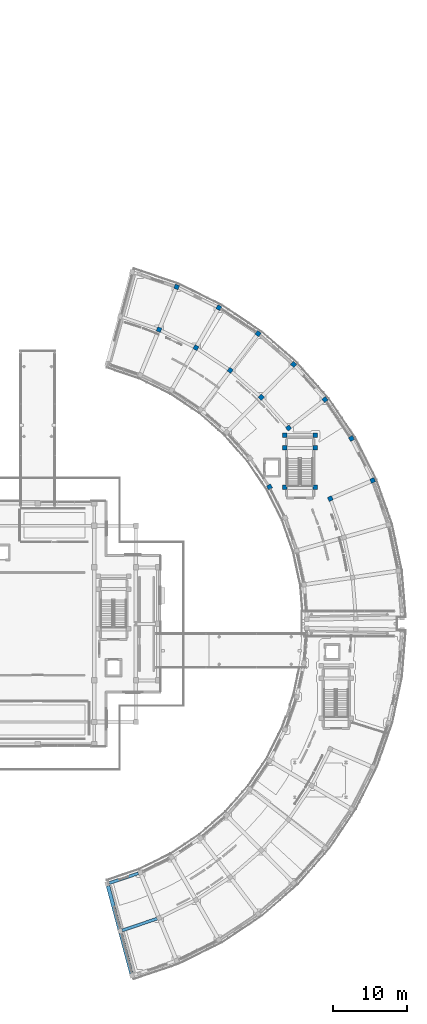
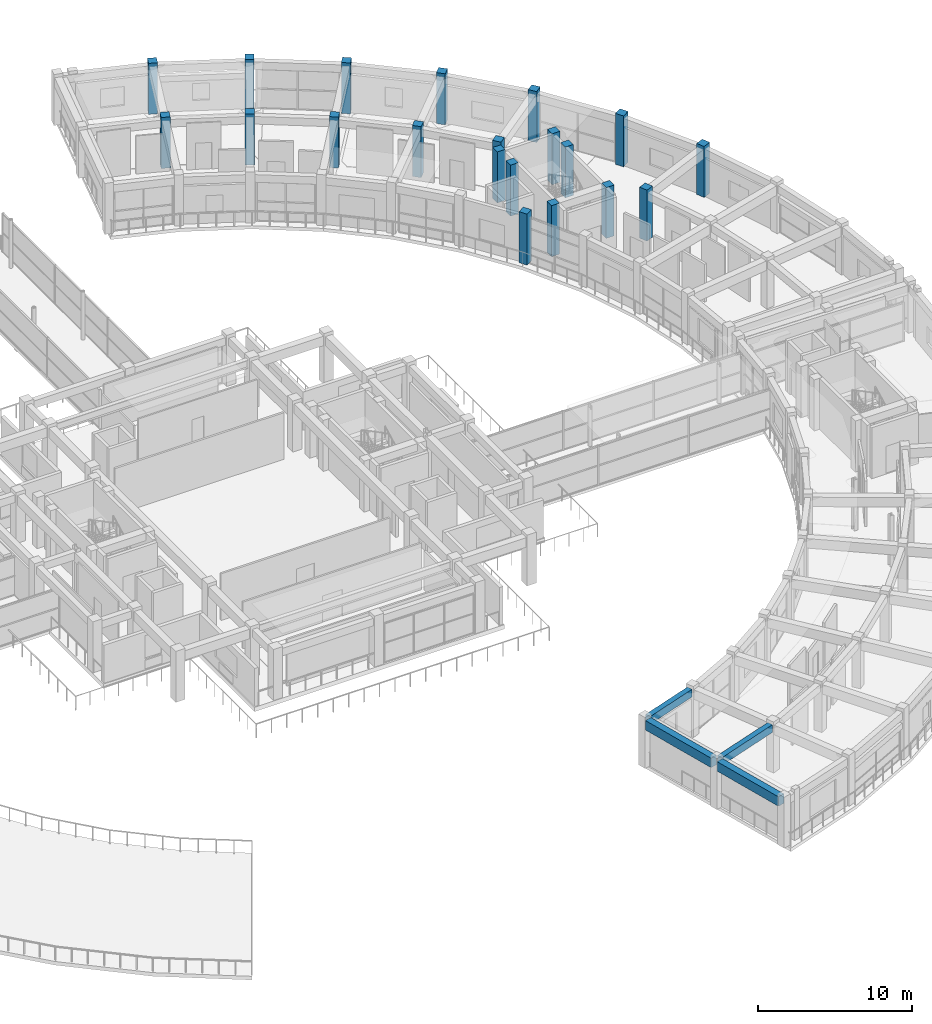
# One storey, part 10 of 53: 20 columns, 4 beams.
"""IFC4 building model written with IfcOpenShell, lengths in metres."""

import ifcopenshell
import ifcopenshell.guid

model = None  # the IFC model being written
_history = None  # IfcOwnerHistory: only IFC2X3 demands one
_inside = {}  # id of a spatial element -> (the spatial element, [elements in it])
_under = {}  # id of a project, library or spatial element -> (it, [spatial elements below it])
_declared = {}  # id of a project -> (the project, [libraries it declares])
_typed = {}  # id of a type object -> (the type object, [elements of that type])
_made_of = {}  # id of a material, layer set ... -> (it, [elements and type objects made of it])


def new_model(schema):
    """Start an empty IFC model of exactly this schema.

    Asked for "IFC4X3", IfcOpenShell would pick the latest addendum, in which some entities
    have other attributes; the version numbers below select the first issue.
    IFC2X3 requires an IfcOwnerHistory on every rooted entity: one is made here for all.
    """
    global model, _history
    if schema == "IFC4X3":
        model = ifcopenshell.file(schema_version=(4, 3, 0, 0))
    else:
        model = ifcopenshell.file(schema=schema)
    _inside.clear()
    _under.clear()
    _declared.clear()
    _typed.clear()
    _made_of.clear()
    _history = None
    if model.schema == "IFC2X3":
        org = make("IfcOrganization", Name="unknown")
        user = make(
            "IfcPersonAndOrganization",
            ThePerson=make("IfcPerson", FamilyName="unknown"),
            TheOrganization=org,
        )
        app = make(
            "IfcApplication",
            ApplicationDeveloper=org,
            Version="unknown",
            ApplicationFullName="unknown",
            ApplicationIdentifier="unknown",
        )
        _history = make(
            "IfcOwnerHistory",
            OwningUser=user,
            OwningApplication=app,
            ChangeAction="ADDED",
            CreationDate=0,
        )
    return model


def make(cls, **values):
    """One entity of the class cls with the attributes given. An attribute that is None is left unset."""
    return model.create_entity(
        cls, **{name: value for name, value in values.items() if value is not None}
    )


def rooted(cls, **values):
    """An entity with a GlobalId (a new one), such as an element, a storey or a relation."""
    return make(cls, GlobalId=ifcopenshell.guid.new(), OwnerHistory=_history, **values)


def si_unit(unit_type, name, prefix=None):
    """IfcSIUnit, for example si_unit("LENGTHUNIT", "METRE", prefix="MILLI")."""
    return make("IfcSIUnit", UnitType=unit_type, Prefix=prefix, Name=name)


def assignment(units):
    """IfcUnitAssignment: the units of a project."""
    return None if units is None else make("IfcUnitAssignment", Units=units)


def point(xyz):
    """IfcCartesianPoint."""
    return None if xyz is None else make("IfcCartesianPoint", Coordinates=xyz)


def direction(xyz):
    """IfcDirection."""
    return None if xyz is None else make("IfcDirection", DirectionRatios=xyz)


def frame(location, z_axis=None, x_axis=None):
    """IfcAxis2Placement3D, a coordinate frame: its origin and axes. An axis left out is left unset."""
    return make(
        "IfcAxis2Placement3D",
        Location=point(location),
        Axis=direction(z_axis),
        RefDirection=direction(x_axis),
    )


def frame_2d(location, x_axis=None):
    """IfcAxis2Placement2D, a coordinate frame in the plane: its origin and x axis."""
    return make(
        "IfcAxis2Placement2D", Location=point(location), RefDirection=direction(x_axis)
    )


def origin():
    """The frame at (0, 0, 0) with its axes left unset."""
    return frame((0.0, 0.0, 0.0))


def origin_2d():
    """The frame at (0, 0) in the plane with its x axis left unset."""
    return frame_2d((0.0, 0.0))


def place(relative_to, where):
    """IfcLocalPlacement: puts the frame where relative to a parent placement (None: the world)."""
    return make(
        "IfcLocalPlacement", PlacementRelTo=relative_to, RelativePlacement=where
    )


def context(
    kind, dimensions, precision=None, world=None, true_north=None, identifier=None
):
    """IfcGeometricRepresentationContext, for example the 3D "Model" context."""
    return make(
        "IfcGeometricRepresentationContext",
        ContextIdentifier=identifier,
        ContextType=kind,
        CoordinateSpaceDimension=dimensions,
        Precision=precision,
        WorldCoordinateSystem=world,
        TrueNorth=true_north,
    )


def subcontext(parent, identifier, kind, view, scale=None):
    """IfcGeometricRepresentationSubContext, for example "Body" below "Model"."""
    return make(
        "IfcGeometricRepresentationSubContext",
        ContextIdentifier=identifier,
        ContextType=kind,
        ParentContext=parent,
        TargetScale=scale,
        TargetView=view,
    )


def project(units=None, contexts=None):
    """IfcProject with its units and contexts."""
    return rooted(
        "IfcProject",
        Name="project",
        RepresentationContexts=contexts,
        UnitsInContext=assignment(units),
    )


def spatial(cls, under=None, at=None, **own):
    """A site, building, storey or space (cls), placed at a placement, below another one or the project."""
    s = rooted(cls, ObjectPlacement=at, **own)
    if under is not None:
        _under.setdefault(under.id(), (under, []))[1].append(s)
    return s


def profile(cls, at=None, kind="AREA", **sizes):
    """A parametric profile (cls). Its sizes go by their IFC names, for example OverallWidth=200.0."""
    return make(cls, ProfileType=kind, Position=at, **sizes)


def rectangle(**sizes):
    """IfcRectangleProfileDef."""
    return profile("IfcRectangleProfileDef", **sizes)


def extrude(swept, where, along, depth):
    """IfcExtrudedAreaSolid: the profile swept, set in the frame where, extruded along a direction by depth."""
    return make(
        "IfcExtrudedAreaSolid",
        SweptArea=swept,
        Position=where,
        ExtrudedDirection=direction(along),
        Depth=depth,
    )


def shape(context_of_items, identifier, shape_type, items):
    """IfcShapeRepresentation: the items that make up one representation, for example the "Body"."""
    return make(
        "IfcShapeRepresentation",
        ContextOfItems=context_of_items,
        RepresentationIdentifier=identifier,
        RepresentationType=shape_type,
        Items=items,
    )


def material(Name=None, Category=None):
    """IfcMaterial."""
    return make("IfcMaterial", Name=Name, Category=Category)


def material_profile(
    of_material, cross_section, Name=None, Category=None, Priority=None
):
    """IfcMaterialProfile: a cross section and its material."""
    return make(
        "IfcMaterialProfile",
        Name=Name,
        Material=of_material,
        Profile=cross_section,
        Priority=Priority,
        Category=Category,
    )


def profile_set(profiles, Name=None, composite=None):
    """IfcMaterialProfileSet."""
    return make(
        "IfcMaterialProfileSet",
        Name=Name,
        MaterialProfiles=profiles,
        CompositeProfile=composite,
    )


def made_of(thing, what):
    """Note that an element or type object is made of a material, layer set ...; save() writes the relation."""
    if what is not None:
        _made_of.setdefault(what.id(), (what, []))[1].append(thing)
    return thing


def type_object(cls, material=None, **own):
    """A type object (cls), such as IfcWallType, which elements share."""
    return made_of(rooted(cls, **own), material)


def element(
    cls,
    number,
    at=None,
    inside=None,
    cuts=None,
    type_object=None,
    material=None,
    context=None,
    identifier="Body",
    shape_type=None,
    held_by="IfcProductDefinitionShape",
    body=None,
    shapes=None,
    **own,
):
    """One element of the class cls, such as IfcWall. Its Tag is "e" and its number.

    at: its placement. inside: the storey or other place that contains it. cuts: it is an
    opening in that element (IfcRelVoidsElement). A single representation is given by context,
    identifier, shape_type and body (its items); several are given by shapes. held_by: the class
    of the entity that holds the representations. save() writes the other relations.
    """
    e = rooted(cls, Tag="e%d" % number, ObjectPlacement=at, **own)
    if body is not None:
        shapes = [shape(context, identifier, shape_type, body)]
    if shapes is not None:
        e.Representation = make(held_by, Representations=shapes)
    if inside is not None:
        _inside.setdefault(inside.id(), (inside, []))[1].append(e)
    if cuts is not None:
        rooted(
            "IfcRelVoidsElement", RelatingBuildingElement=cuts, RelatedOpeningElement=e
        )
    if type_object is not None:
        _typed.setdefault(type_object.id(), (type_object, []))[1].append(e)
    return made_of(e, material)


def aggregate(whole, parts):
    """IfcRelAggregates: a whole, such as a stair, and the parts it consists of."""
    return rooted("IfcRelAggregates", RelatingObject=whole, RelatedObjects=parts)


def save(model, path):
    """Write the relations noted so far, then the file.

    IfcRelAggregates (storeys below a building ...), IfcRelContainedInSpatialStructure (elements
    in a storey), IfcRelDefinesByType, IfcRelAssociatesMaterial and IfcRelDeclares: one each for
    every whole, place, type object, material and project.
    """
    for whole, parts in _under.values():
        aggregate(whole, parts)
    for where, things in _inside.values():
        rooted(
            "IfcRelContainedInSpatialStructure",
            RelatedElements=things,
            RelatingStructure=where,
        )
    for kind, things in _typed.values():
        rooted("IfcRelDefinesByType", RelatedObjects=things, RelatingType=kind)
    for what, things in _made_of.values():
        rooted("IfcRelAssociatesMaterial", RelatedObjects=things, RelatingMaterial=what)
    for by, libraries in _declared.values():
        rooted("IfcRelDeclares", RelatingContext=by, RelatedDefinitions=libraries)
    model.write(path)


model = new_model("IFC4")

# Units and contexts
model_context = context("Model", 3, precision=1e-05, world=origin(), true_north=direction((0.0, 1.0)))
body_context = subcontext(model_context, "Body", "Model", "MODEL_VIEW")
ifc_project = project(units=[si_unit("LENGTHUNIT", "METRE"), si_unit("AREAUNIT", "SQUARE_METRE"), si_unit("VOLUMEUNIT", "CUBIC_METRE"), si_unit("PLANEANGLEUNIT", "RADIAN"), si_unit("MASSUNIT", "GRAM", prefix="KILO")], contexts=[model_context])

# Site, building, storey
site_placement = place(None, origin())
site = spatial("IfcSite", under=ifc_project, at=site_placement, CompositionType="ELEMENT")
building_placement = place(site_placement, origin())
building = spatial("IfcBuilding", under=site, at=building_placement, Name="Saryqyr Civic Hall", CompositionType="ELEMENT")
storey_placement = place(building_placement, frame((0.0, 0.0, 21.300048828125)))
storey = spatial("IfcBuildingStorey", under=building, at=storey_placement, Name="L05", CompositionType="ELEMENT", Elevation=21.300048828125)

# Columns
ifc_material_1 = material(Name="Concrete C40/50", Category="concrete")
ifc_material_profile_1 = material_profile(ifc_material_1, rectangle(XDim=0.60009765625, YDim=0.60009765625, at=origin_2d()), Name="RC 600x600")
ifc_profile_set_1 = profile_set([ifc_material_profile_1], Name="Concrete C40/50")
column_type = type_object("IfcColumnType", Name="STR-COL-RC600-C40", PredefinedType="COLUMN", material=ifc_profile_set_1)
for number, where, z_axis, x_axis, name in (
    (1, (96.349365234375, 100.836669921875, 0.0), (0.0, 0.0, 1.0), (0.919410138581, 0.393300136124, 0.0), "Column V6-COL-MID03-L05"),
    (2, (102.04931640625, 103.275634765625, 0.0), (0.0, 0.0, 1.0), (0.919410138581, 0.393300136124, 0.0), "Column V6-COL-OUT03-L05"),
    (3, (88.16845703125, 102.410888671875, 0.0), (0.0, 0.0, 1.0), (0.861008442465, 0.508590662521, 0.0), "Column V6-COL-IN04-L05"),
    (4, (99.189453125, 108.9208984375, 0.0), (0.0, 0.0, 1.0), (0.861008442465, 0.508590662521, 0.0), "Column V6-COL-OUT04-L05"),
    (5, (90.73828125, 110.335693359375, 0.0), (0.0, 0.0, 1.0), (0.78822561199, 0.615386370179, 0.0), "Column V6-COL-MID05-L05"),
    (6, (95.625732421875, 114.150634765625, 0.0), (0.0, 0.0, 1.0), (0.78822561199, 0.615386370179, 0.0), "Column V6-COL-OUT05-L05"),
    (7, (87.062744140625, 114.464111328125, 0.0), (0.0, 0.0, 1.0), (0.70240155419, 0.711780904964, 0.0), "Column V6-COL-MID06-L05"),
    (8, (91.417724609375, 118.877197265625, 0.0), (0.0, 0.0, 1.0), (0.70240155419, 0.711780904964, 0.0), "Column V6-COL-OUT06-L05"),
    (9, (82.8857421875, 118.084716796875, 0.0), (0.0, 0.0, 1.0), (0.60473812635, 0.796424383441, 0.0), "Column V6-COL-MID07-L05"),
    (10, (86.635498046875, 123.022216796875, 0.0), (0.0, 0.0, 1.0), (0.60473812635, 0.796424383441, 0.0), "Column V6-COL-OUT07-L05"),
    (11, (78.277099609375, 121.13671875, 0.0), (0.0, 0.0, 1.0), (0.4971254071, 0.867678701833, 0.0), "Column V6-COL-MID08-L05"),
    (12, (81.359130859375, 126.516357421875, 0.0), (0.0, 0.0, 1.0), (0.4971254071, 0.867678701833, 0.0), "Column V6-COL-OUT08-L05"),
    (13, (73.313232421875, 123.569091796875, 0.0), (0.0, 0.0, 1.0), (0.381231734269, 0.924479510204, 0.0), "Column V6-COL-MID09-L05"),
    (14, (75.676513671875, 129.301025390625, 0.0), (0.0, 0.0, 1.0), (0.381231734269, 0.924479510204, 0.0), "Column V6-COL-OUT09-L05"),
    (15, (94.340087890625, 102.3349609375, 0.0), (0.0, 0.0, 1.0), (1.0, 0.0, 0.0), "Column ST-6-SCOL-TRMA-L05"),
    (16, (90.219970703125, 102.3349609375, 0.0), (0.0, 0.0, 1.0), (1.0, 0.0, 0.0), "Column ST-6-SCOL-TRMB-L05"),
    (17, (94.340087890625, 107.64990234375, 0.0), (0.0, 0.0, 1.0), (1.0, 0.0, 0.0), "Column ST-6-SCOL-LND1A-L05"),
    (18, (90.219970703125, 107.64990234375, 0.0), (0.0, 0.0, 1.0), (1.0, 0.0, 0.0), "Column ST-6-SCOL-LND1B-L05"),
    (19, (94.340087890625, 109.3798828125, 0.0), (0.0, 0.0, 1.0), (1.0, 0.0, 0.0), "Column ST-6-SCOL-LND2A-L05"),
    (20, (90.219970703125, 109.3798828125, 0.0), (0.0, 0.0, 1.0), (1.0, 0.0, 0.0), "Column ST-6-SCOL-LND2B-L05"),
):
    element("IfcColumn", number, at=place(storey_placement, frame(where, z_axis=z_axis, x_axis=x_axis)), inside=storey, type_object=column_type, Name=name, PredefinedType="COLUMN", context=body_context, shape_type="SweptSolid", body=[
        extrude(rectangle(XDim=0.60009765625, YDim=0.60009765625, at=origin_2d()), origin(), (0.0, 0.0, 1.0), 4.050048828125),
    ])

# Beams
ifc_material_2 = material(Name="Concrete C35/45", Category="concrete")
ifc_material_profile_2 = material_profile(ifc_material_2, rectangle(XDim=0.39990234375, YDim=0.60009765625, at=origin_2d()), Name="RC 400x600")
ifc_profile_set_2 = profile_set([ifc_material_profile_2], Name="Concrete C35/45")
beam_type_1 = type_object("IfcBeamType", Name="STR-BM-RC400x600", PredefinedType="BEAM", material=ifc_profile_set_2)
beam_1_placement = place(storey_placement, frame((68.337890625, 42.74658203125, 3.47998046875), z_axis=(0.947191677807, 0.32066793649, 0.0), x_axis=(-0.32066793649, 0.947191677807, 0.0)))
element("IfcBeam", 21, at=beam_1_placement, inside=storey, type_object=beam_type_1, Name="Beam V5-CBM-MID00-L05", PredefinedType="BEAM", context=body_context, shape_type="SweptSolid", body=[
    extrude(rectangle(XDim=0.39990234375, YDim=0.60009765625, at=origin_2d()), origin(), (0.0, 0.0, 1.0), 4.977783203125),
])
ifc_material_profile_3 = material_profile(ifc_material_2, rectangle(XDim=0.39990234375, YDim=0.60009765625, at=origin_2d()), Name="RC 400x600")
ifc_profile_set_3 = profile_set([ifc_material_profile_3], Name="Concrete C35/45")
beam_type_2 = type_object("IfcBeamType", Name="STR-BM-RC400x600-EXT", PredefinedType="BEAM", material=ifc_profile_set_3)
beam_2_placement = place(storey_placement, frame((66.629638671875, 49.12158203125, 3.47998046875), z_axis=(0.947199378893, 0.320645188057, 0.0), x_axis=(-0.320645188057, 0.947199378893, 0.0)))
element("IfcBeam", 22, at=beam_2_placement, inside=storey, type_object=beam_type_2, Name="Beam V5-CBM-IN00-L05", PredefinedType="BEAM", context=body_context, shape_type="SweptSolid", body=[
    extrude(rectangle(XDim=0.39990234375, YDim=0.60009765625, at=origin_2d()), origin(), (0.0, 0.0, 1.0), 4.125244140625),
])
ifc_material_profile_4 = material_profile(ifc_material_1, rectangle(XDim=0.5, YDim=0.75, at=origin_2d()), Name="RC 500x750")
ifc_profile_set_4 = profile_set([ifc_material_profile_4], Name="Concrete C40/50")
beam_type_3 = type_object("IfcBeamType", Name="STR-BM-RC500x750", PredefinedType="BEAM", material=ifc_profile_set_4)
beam_3_placement = place(storey_placement, frame((66.4404296875, 48.767822265625, 3.405029296875), z_axis=(0.258832905588, -0.965922112277, 0.0), x_axis=(0.965922112277, 0.258832905588, 0.0)))
element("IfcBeam", 23, at=beam_3_placement, inside=storey, type_object=beam_type_3, Name="Beam V5-RBM-A00-L05", PredefinedType="BEAM", context=body_context, shape_type="SweptSolid", body=[
    extrude(rectangle(XDim=0.5, YDim=0.75, at=origin_2d()), origin(), (0.0, 0.0, 1.0), 6.0498046875),
])
beam_4_placement = place(storey_placement, frame((68.148681640625, 42.392822265625, 3.405029296875), z_axis=(0.25878936227, -0.965933779291, 0.0), x_axis=(0.965933779291, 0.25878936227, 0.0)))
element("IfcBeam", 24, at=beam_4_placement, inside=storey, type_object=beam_type_3, Name="Beam V5-RBM-B00-L05", PredefinedType="BEAM", context=body_context, shape_type="SweptSolid", body=[
    extrude(rectangle(XDim=0.5, YDim=0.75, at=origin_2d()), origin(), (0.0, 0.0, 1.0), 5.64990234375),
])

save(model, "model.ifc")
